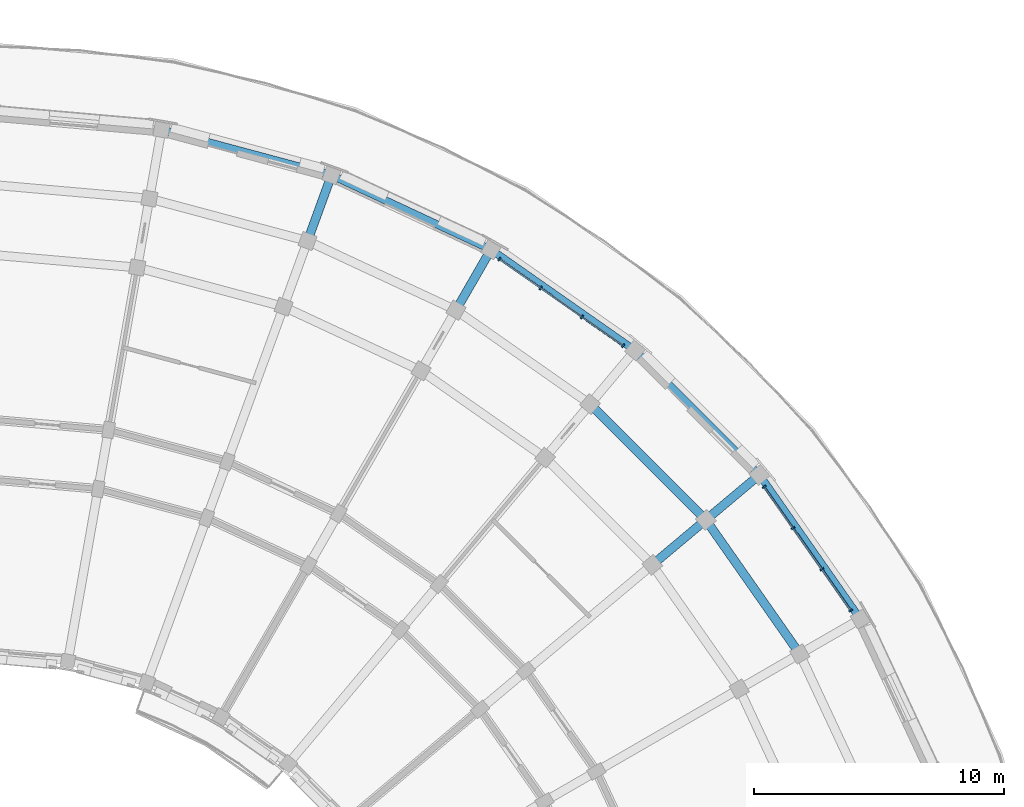
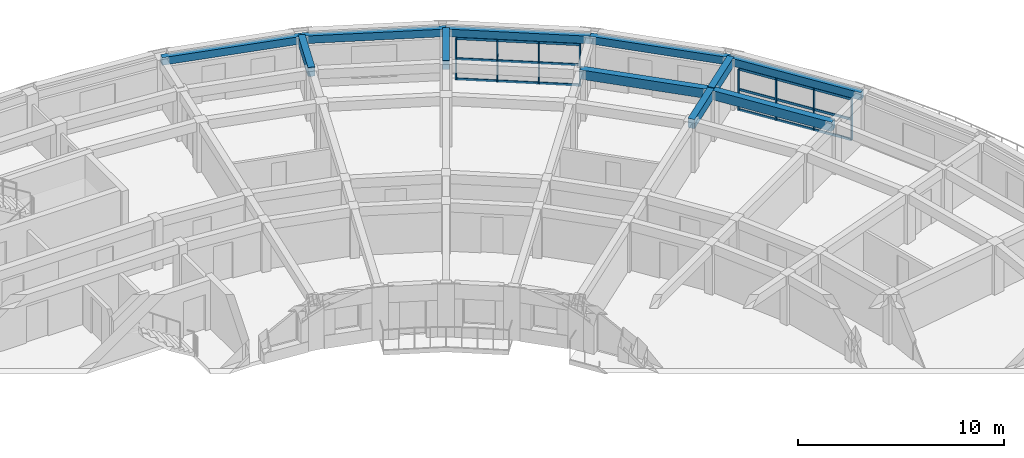
# One storey, part 10 of 41: 14 members, 11 beams, 2 elements without a shape of their own.
"""IFC4 building model written with IfcOpenShell, lengths in metres."""

from ifc_helpers import new_model, si_unit, direction, frame, origin, origin_2d, place, context, subcontext, project, spatial, rectangle, extrude, material, material_profile, profile_set, type_object, element, aggregate, save


model = new_model("IFC4")

# Units and contexts
model_context = context("Model", 3, precision=1e-05, world=origin(), true_north=direction((0.0, 1.0)))
body_context = subcontext(model_context, "Body", "Model", "MODEL_VIEW")
ifc_project = project(units=[si_unit("LENGTHUNIT", "METRE"), si_unit("AREAUNIT", "SQUARE_METRE"), si_unit("VOLUMEUNIT", "CUBIC_METRE"), si_unit("PLANEANGLEUNIT", "RADIAN"), si_unit("MASSUNIT", "GRAM", prefix="KILO")], contexts=[model_context])

# Site, building, storey
site_placement = place(None, origin())
site = spatial("IfcSite", under=ifc_project, at=site_placement, CompositionType="ELEMENT")
building_placement = place(site_placement, origin())
building = spatial("IfcBuilding", under=site, at=building_placement, Name="Kiranvali Square Residences", CompositionType="ELEMENT")
storey_placement = place(building_placement, frame((0.0, 0.0, 33.89990234375)))
storey = spatial("IfcBuildingStorey", under=building, at=storey_placement, Name="L10", CompositionType="ELEMENT", Elevation=33.89990234375)

# Beams
ifc_material_1 = material(Name="Concrete M40 (40 MPa)", Category="concrete")
ifc_material_profile_1 = material_profile(ifc_material_1, rectangle(XDim=0.35009765625, YDim=0.550048828125, at=origin_2d()), Name="RC 350x550")
ifc_profile_set_1 = profile_set([ifc_material_profile_1], Name="Concrete M40 (40 MPa)")
beam_type_1 = type_object("IfcBeamType", Name="BM-M40-350x550", PredefinedType="BEAM", material=ifc_profile_set_1)
beam_1_placement = place(storey_placement, frame((143.96875, 116.603271484375, 2.655029296875), z_axis=(0.707106781187, -0.707106781187, 0.0), x_axis=(0.707106781187, 0.707106781187, 0.0)))
element("IfcBeam", 1, at=beam_1_placement, inside=storey, type_object=beam_type_1, Name="L10 beam BM-B-L10-C04-R4", PredefinedType="BEAM", context=body_context, shape_type="SweptSolid", body=[
    extrude(rectangle(XDim=0.35009765625, YDim=0.550048828125, at=origin_2d()), origin(), (0.0, 0.0, 1.0), 6.55419921875),
])
beam_2_placement = place(storey_placement, frame((148.603271484375, 111.96875, 2.655029296875), z_axis=(0.573587340268, -0.819144409176, 0.0), x_axis=(0.819144409176, 0.573587340268, 0.0)))
element("IfcBeam", 2, at=beam_2_placement, inside=storey, type_object=beam_type_1, Name="L10 beam BM-B-L10-C05-R4", PredefinedType="BEAM", context=body_context, shape_type="SweptSolid", body=[
    extrude(rectangle(XDim=0.35009765625, YDim=0.550048828125, at=origin_2d()), origin(), (0.0, 0.0, 1.0), 6.553955078125),
])
beam_3_placement = place(storey_placement, frame((132.659912109375, 123.13232421875, 2.695068359375), z_axis=(0.342030060398, 0.939689011208, 0.0), x_axis=(-0.939689011208, 0.342030060398, 0.0)))
element("IfcBeam", 3, at=beam_3_placement, inside=storey, type_object=beam_type_1, Name="L10 beam BM-B-L10-RAD02-45", PredefinedType="BEAM", context=body_context, shape_type="SweptSolid", body=[
    extrude(rectangle(XDim=0.35009765625, YDim=0.550048828125, at=origin_2d()), origin(), (0.0, 0.0, 1.0), 2.80029296875),
])
beam_4_placement = place(storey_placement, frame((138.60009765625, 120.362548828125, 2.695068359375), z_axis=(0.49998411664, 0.866034573852, 0.0), x_axis=(-0.866034573852, 0.49998411664, 0.0)))
element("IfcBeam", 4, at=beam_4_placement, inside=storey, type_object=beam_type_1, Name="L10 beam BM-B-L10-RAD03-45", PredefinedType="BEAM", context=body_context, shape_type="SweptSolid", body=[
    extrude(rectangle(XDim=0.35009765625, YDim=0.550048828125, at=origin_2d()), origin(), (0.0, 0.0, 1.0), 2.7998046875),
])
for number, where, z_axis, x_axis, name in (
    (5, (146.458251953125, 110.1689453125, 2.655029296875), (0.766058583359, 0.642770757628, 0.0), (-0.642770757628, 0.766058583359, 0.0), "L10 beam BM-B-L10-RAD05-34"),
    (6, (148.603271484375, 111.96875, 2.695068359375), (0.766058583359, 0.642770757628, 0.0), (-0.642770757628, 0.766058583359, 0.0), "L10 beam BM-B-L10-RAD05-45"),
):
    element("IfcBeam", number, at=place(storey_placement, frame(where, z_axis=z_axis, x_axis=x_axis)), inside=storey, type_object=beam_type_1, Name=name, PredefinedType="BEAM", context=body_context, shape_type="SweptSolid", body=[
        extrude(rectangle(XDim=0.35009765625, YDim=0.550048828125, at=origin_2d()), origin(), (0.0, 0.0, 1.0), 2.800048828125),
    ])

# Curtain wall, members
ifc_material_2 = material(Name="Anodised bronze aluminium framing", Category="aluminium")
curtain_wall_type = type_object("IfcCurtainWallType", Name="CW-RES-LOG", PredefinedType="USERDEFINED", material=ifc_material_2)
curtain_wall_1_placement = place(storey_placement, origin())
curtain_wall_1 = element("IfcCurtainWall", 7, at=curtain_wall_1_placement, inside=storey, type_object=curtain_wall_type, Name="Block B L10 stepped curved terrace loggia 4", ObjectType="CURTAIN WALL", PredefinedType="USERDEFINED")
ifc_material_profile_2 = material_profile(ifc_material_2, rectangle(XDim=0.06494140625, YDim=0.159912109375, at=origin_2d()), Name="ALU 65x160")
ifc_profile_set_2 = profile_set([ifc_material_profile_2], Name="Anodised bronze aluminium framing")
member_type_1 = type_object("IfcMemberType", Name="CW-MUL-160", PredefinedType="MULLION", material=ifc_profile_set_2)
member_1_placement = place(storey_placement, frame((140.3408203125, 122.40234375, 0.02001953125), z_axis=(0.0, 0.0, 1.0), x_axis=(0.819152044289, -0.573576436351, 0.0)))
member_1 = element("IfcMember", 8, at=member_1_placement, type_object=member_type_1, Name="CW-B-L10-TER-03 vertical mullion 1", PredefinedType="MULLION", context=body_context, shape_type="SweptSolid", body=[
    extrude(rectangle(XDim=0.06494140625, YDim=0.159912109375, at=origin_2d()), origin(), (0.0, 0.0, 1.0), 2.440185546875),
])
member_2_placement = place(storey_placement, frame((141.990478515625, 121.2470703125, 0.02001953125), z_axis=(0.0, 0.0, 1.0), x_axis=(0.819152044289, -0.573576436351, 0.0)))
member_2 = element("IfcMember", 9, at=member_2_placement, type_object=member_type_1, Name="CW-B-L10-TER-03 vertical mullion 2", PredefinedType="MULLION", context=body_context, shape_type="SweptSolid", body=[
    extrude(rectangle(XDim=0.06494140625, YDim=0.159912109375, at=origin_2d()), origin(), (0.0, 0.0, 1.0), 2.440185546875),
])
member_3_placement = place(storey_placement, frame((143.640380859375, 120.091796875, 0.02001953125), z_axis=(0.0, 0.0, 1.0), x_axis=(0.819152044289, -0.573576436351, 0.0)))
member_3 = element("IfcMember", 10, at=member_3_placement, type_object=member_type_1, Name="CW-B-L10-TER-03 vertical mullion 3", PredefinedType="MULLION", context=body_context, shape_type="SweptSolid", body=[
    extrude(rectangle(XDim=0.06494140625, YDim=0.159912109375, at=origin_2d()), origin(), (0.0, 0.0, 1.0), 2.440185546875),
])
member_4_placement = place(storey_placement, frame((145.290283203125, 118.936767578125, 0.02001953125), z_axis=(0.0, 0.0, 1.0), x_axis=(0.819152044289, -0.573576436351, 0.0)))
member_4 = element("IfcMember", 11, at=member_4_placement, type_object=member_type_1, Name="CW-B-L10-TER-03 vertical mullion 4", PredefinedType="MULLION", context=body_context, shape_type="SweptSolid", body=[
    extrude(rectangle(XDim=0.06494140625, YDim=0.159912109375, at=origin_2d()), origin(), (0.0, 0.0, 1.0), 2.440185546875),
])

curtain_wall_2_placement = place(storey_placement, origin())
curtain_wall_2 = element("IfcCurtainWall", 12, at=curtain_wall_2_placement, inside=storey, type_object=curtain_wall_type, Name="Block B L10 stepped curved terrace loggia 6", ObjectType="CURTAIN WALL", PredefinedType="USERDEFINED")
member_5_placement = place(storey_placement, frame((150.936767578125, 113.290283203125, 0.02001953125), z_axis=(0.0, 0.0, 1.0), x_axis=(0.573576436351, -0.819152044289, 0.0)))
member_5 = element("IfcMember", 13, at=member_5_placement, type_object=member_type_1, Name="CW-B-L10-TER-05 vertical mullion 1", PredefinedType="MULLION", context=body_context, shape_type="SweptSolid", body=[
    extrude(rectangle(XDim=0.06494140625, YDim=0.159912109375, at=origin_2d()), origin(), (0.0, 0.0, 1.0), 2.440185546875),
])
member_6_placement = place(storey_placement, frame((152.091796875, 111.640380859375, 0.02001953125), z_axis=(0.0, 0.0, 1.0), x_axis=(0.573576436351, -0.819152044289, 0.0)))
member_6 = element("IfcMember", 14, at=member_6_placement, type_object=member_type_1, Name="CW-B-L10-TER-05 vertical mullion 2", PredefinedType="MULLION", context=body_context, shape_type="SweptSolid", body=[
    extrude(rectangle(XDim=0.06494140625, YDim=0.159912109375, at=origin_2d()), origin(), (0.0, 0.0, 1.0), 2.440185546875),
])
member_7_placement = place(storey_placement, frame((153.2470703125, 109.990478515625, 0.02001953125), z_axis=(0.0, 0.0, 1.0), x_axis=(0.573576436351, -0.819152044289, 0.0)))
member_7 = element("IfcMember", 15, at=member_7_placement, type_object=member_type_1, Name="CW-B-L10-TER-05 vertical mullion 3", PredefinedType="MULLION", context=body_context, shape_type="SweptSolid", body=[
    extrude(rectangle(XDim=0.06494140625, YDim=0.159912109375, at=origin_2d()), origin(), (0.0, 0.0, 1.0), 2.440185546875),
])
member_8_placement = place(storey_placement, frame((154.40234375, 108.3408203125, 0.02001953125), z_axis=(0.0, 0.0, 1.0), x_axis=(0.573576436351, -0.819152044289, 0.0)))
member_8 = element("IfcMember", 16, at=member_8_placement, type_object=member_type_1, Name="CW-B-L10-TER-05 vertical mullion 4", PredefinedType="MULLION", context=body_context, shape_type="SweptSolid", body=[
    extrude(rectangle(XDim=0.06494140625, YDim=0.159912109375, at=origin_2d()), origin(), (0.0, 0.0, 1.0), 2.440185546875),
])

# Member
ifc_material_profile_3 = material_profile(ifc_material_2, rectangle(XDim=0.06494140625, YDim=0.139892578125, at=origin_2d()), Name="ALU 65x140")
ifc_profile_set_3 = profile_set([ifc_material_profile_3], Name="Anodised bronze aluminium framing")
member_type_2 = type_object("IfcMemberType", Name="CW-TRN-140", PredefinedType="MULLION", material=ifc_profile_set_3)
member_9_placement = place(storey_placement, frame((140.348876953125, 122.396484375, 0.0400390625), z_axis=(0.819159539839, -0.573565731448, 0.0), x_axis=(0.573565731448, 0.819159539839, 0.0)))
member_9 = element("IfcMember", 17, at=member_9_placement, type_object=member_type_2, Name="CW-B-L10-TER-03 horizontal transom 1", PredefinedType="MULLION", context=body_context, shape_type="SweptSolid", body=[
    extrude(rectangle(XDim=0.06494140625, YDim=0.139892578125, at=origin_2d()), origin(), (0.0, 0.0, 1.0), 6.022216796875),
])

member_10_placement = place(storey_placement, frame((140.348876953125, 122.396484375, 1.239990234375), z_axis=(0.819159539839, -0.573565731448, 0.0), x_axis=(0.573565731448, 0.819159539839, 0.0)))
member_10 = element("IfcMember", 18, at=member_10_placement, type_object=member_type_2, Name="CW-B-L10-TER-03 horizontal transom 2", PredefinedType="MULLION", context=body_context, shape_type="SweptSolid", body=[
    extrude(rectangle(XDim=0.06494140625, YDim=0.139892578125, at=origin_2d()), origin(), (0.0, 0.0, 1.0), 6.022216796875),
])

member_11_placement = place(storey_placement, frame((140.348876953125, 122.396484375, 2.440185546875), z_axis=(0.819159539839, -0.573565731448, 0.0), x_axis=(0.573565731448, 0.819159539839, 0.0)))
member_11 = element("IfcMember", 19, at=member_11_placement, type_object=member_type_2, Name="CW-B-L10-TER-03 horizontal transom 3", PredefinedType="MULLION", context=body_context, shape_type="SweptSolid", body=[
    extrude(rectangle(XDim=0.06494140625, YDim=0.139892578125, at=origin_2d()), origin(), (0.0, 0.0, 1.0), 6.022216796875),
])

aggregate(curtain_wall_1, [member_1, member_2, member_3, member_4, member_9, member_10, member_11])

member_12_placement = place(storey_placement, frame((150.9423828125, 113.281982421875, 0.0400390625), z_axis=(0.573565731448, -0.819159539839, 0.0), x_axis=(0.819159539839, 0.573565731448, 0.0)))
member_12 = element("IfcMember", 20, at=member_12_placement, type_object=member_type_2, Name="CW-B-L10-TER-05 horizontal transom 1", PredefinedType="MULLION", context=body_context, shape_type="SweptSolid", body=[
    extrude(rectangle(XDim=0.06494140625, YDim=0.139892578125, at=origin_2d()), origin(), (0.0, 0.0, 1.0), 6.022216796875),
])

member_13_placement = place(storey_placement, frame((150.9423828125, 113.281982421875, 1.239990234375), z_axis=(0.573565731448, -0.819159539839, 0.0), x_axis=(0.819159539839, 0.573565731448, 0.0)))
member_13 = element("IfcMember", 21, at=member_13_placement, type_object=member_type_2, Name="CW-B-L10-TER-05 horizontal transom 2", PredefinedType="MULLION", context=body_context, shape_type="SweptSolid", body=[
    extrude(rectangle(XDim=0.06494140625, YDim=0.139892578125, at=origin_2d()), origin(), (0.0, 0.0, 1.0), 6.022216796875),
])

member_14_placement = place(storey_placement, frame((150.9423828125, 113.281982421875, 2.440185546875), z_axis=(0.573565731448, -0.819159539839, 0.0), x_axis=(0.819159539839, 0.573565731448, 0.0)))
member_14 = element("IfcMember", 22, at=member_14_placement, type_object=member_type_2, Name="CW-B-L10-TER-05 horizontal transom 3", PredefinedType="MULLION", context=body_context, shape_type="SweptSolid", body=[
    extrude(rectangle(XDim=0.06494140625, YDim=0.139892578125, at=origin_2d()), origin(), (0.0, 0.0, 1.0), 6.022216796875),
])

aggregate(curtain_wall_2, [member_5, member_6, member_7, member_8, member_12, member_13, member_14])

# Beams
ifc_material_profile_4 = material_profile(ifc_material_1, rectangle(XDim=0.300048828125, YDim=0.449951171875, at=origin_2d()), Name="RC 300x450")
ifc_profile_set_4 = profile_set([ifc_material_profile_4], Name="Concrete M40 (40 MPa)")
beam_type_2 = type_object("IfcBeamType", Name="SPN-M40-300x450", PredefinedType="SPANDREL", material=ifc_profile_set_4)
for number, where, z_axis, x_axis, name in (
    (23, (126.8154296875, 127.586181640625, 2.7451171875), (0.965931029817, -0.258799624492, 0.0), (0.258799624492, 0.965931029817, 0.0), "L10 beam BM-B-L10-C01-R5"),
    (24, (133.61767578125, 125.763671875, 2.7451171875), (0.906297360311, -0.422640621205, 0.0), (0.422640621205, 0.906297360311, 0.0), "L10 beam BM-B-L10-C02-R5"),
):
    element("IfcBeam", number, at=place(storey_placement, frame(where, z_axis=z_axis, x_axis=x_axis)), inside=storey, type_object=beam_type_2, Name=name, PredefinedType="SPANDREL", context=body_context, shape_type="SweptSolid", body=[
        extrude(rectangle(XDim=0.300048828125, YDim=0.449951171875, at=origin_2d()), origin(), (0.0, 0.0, 1.0), 7.042236328125),
    ])
beam_5_placement = place(storey_placement, frame((140.0, 122.787353515625, 2.7451171875), z_axis=(0.819160249246, -0.57356471828, 0.0), x_axis=(0.57356471828, 0.819160249246, 0.0)))
element("IfcBeam", 25, at=beam_5_placement, inside=storey, type_object=beam_type_2, Name="L10 beam BM-B-L10-C03-R5", PredefinedType="SPANDREL", context=body_context, shape_type="SweptSolid", body=[
    extrude(rectangle(XDim=0.300048828125, YDim=0.449951171875, at=origin_2d()), origin(), (0.0, 0.0, 1.0), 7.0419921875),
])
beam_6_placement = place(storey_placement, frame((145.7685546875, 118.748291015625, 2.7451171875), z_axis=(0.707106781187, -0.707106781187, 0.0), x_axis=(0.707106781187, 0.707106781187, 0.0)))
element("IfcBeam", 26, at=beam_6_placement, inside=storey, type_object=beam_type_2, Name="L10 beam BM-B-L10-C04-R5", PredefinedType="SPANDREL", context=body_context, shape_type="SweptSolid", body=[
    extrude(rectangle(XDim=0.300048828125, YDim=0.449951171875, at=origin_2d()), origin(), (0.0, 0.0, 1.0), 7.04248046875),
])
beam_7_placement = place(storey_placement, frame((150.748291015625, 113.7685546875, 2.7451171875), z_axis=(0.57356471828, -0.819160249246, 0.0), x_axis=(0.819160249246, 0.57356471828, 0.0)))
element("IfcBeam", 27, at=beam_7_placement, inside=storey, type_object=beam_type_2, Name="L10 beam BM-B-L10-C05-R5", PredefinedType="SPANDREL", context=body_context, shape_type="SweptSolid", body=[
    extrude(rectangle(XDim=0.300048828125, YDim=0.449951171875, at=origin_2d()), origin(), (0.0, 0.0, 1.0), 7.0419921875),
])

save(model, "model.ifc")
